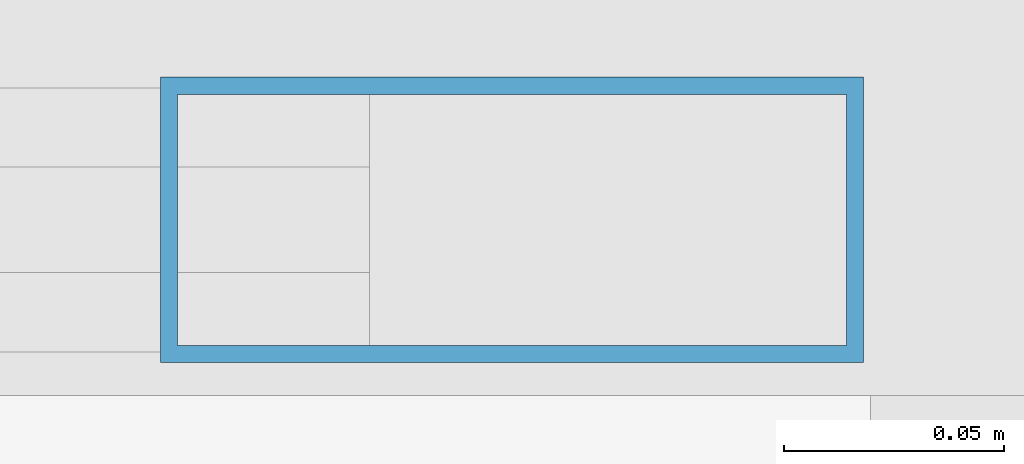
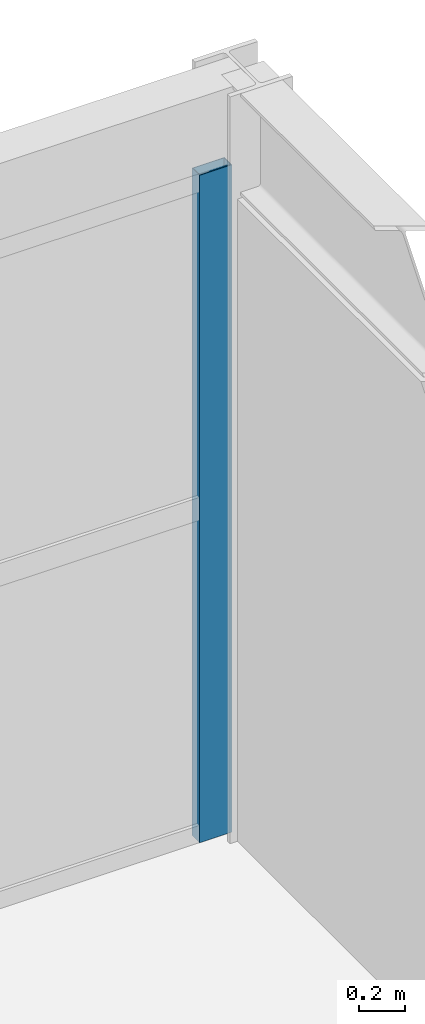
# One storey, part 90 of 134: 1 member, 1 element without a shape of its own.
"""IFC4 building model written with IfcOpenShell, lengths in metres."""

from ifc_helpers import new_model, si_unit, direction, frame, origin, origin_2d, place, context, subcontext, project, spatial, hollow_rectangle, extrude, material, material_profile, profile_set, type_object, element, aggregate, save


model = new_model("IFC4")

# Units and contexts
model_context = context("Model", 3, precision=1e-05, world=origin(), true_north=direction((0.0, 1.0)))
body_context = subcontext(model_context, "Body", "Model", "MODEL_VIEW")
ifc_project = project(units=[si_unit("LENGTHUNIT", "METRE"), si_unit("AREAUNIT", "SQUARE_METRE"), si_unit("VOLUMEUNIT", "CUBIC_METRE"), si_unit("PLANEANGLEUNIT", "RADIAN"), si_unit("MASSUNIT", "GRAM", prefix="KILO")], contexts=[model_context])

# Site, building, storey
site_placement = place(None, origin())
site = spatial("IfcSite", under=ifc_project, at=site_placement, CompositionType="ELEMENT")
building_placement = place(site_placement, origin())
building = spatial("IfcBuilding", under=site, at=building_placement, Name="Karori Crest Natural Sciences Institute", CompositionType="ELEMENT")
storey_placement = place(building_placement, frame((0.0, 0.0, 21.699951171875)))
storey = spatial("IfcBuildingStorey", under=building, at=storey_placement, Name="L05", CompositionType="ELEMENT", Elevation=21.699951171875)

# Curtain wall, member
ifc_material = material(Name="Anodised architectural aluminium 6063-T6", Category="aluminium")
curtain_wall_type = type_object("IfcCurtainWallType", Name="CWT-20", PredefinedType="NOTDEFINED", material=ifc_material)
curtain_wall_placement = place(storey_placement, origin())
curtain_wall = element("IfcCurtainWall", 1, at=curtain_wall_placement, inside=storey, type_object=curtain_wall_type, Name="Curtain wall CW-0348", PredefinedType="NOTDEFINED")
ifc_material_profile = material_profile(ifc_material, hollow_rectangle(XDim=0.06494140625, YDim=0.159912109375, WallThickness=0.00390625, at=origin_2d()), Name="CWM160x65x4")
ifc_profile_set = profile_set([ifc_material_profile], Name="Anodised architectural aluminium 6063-T6")
member_type = type_object("IfcMemberType", Name="CWM-01", PredefinedType="MULLION", material=ifc_profile_set)
member_placement = place(storey_placement, frame((162.013916015625, 20.5400390625, 0.0), z_axis=(0.0, 0.0, 1.0), x_axis=(0.0, 1.0, 0.0)))
member = element("IfcMember", 2, at=member_placement, type_object=member_type, Name="CW-0348 mullion 3", PredefinedType="MULLION", context=body_context, shape_type="SweptSolid", body=[
    extrude(hollow_rectangle(XDim=0.06494140625, YDim=0.159912109375, WallThickness=0.00390625, at=origin_2d()), origin(), (0.0, 0.0, 1.0), 3.505126953125),
])
aggregate(curtain_wall, [member])

save(model, "model.ifc")
